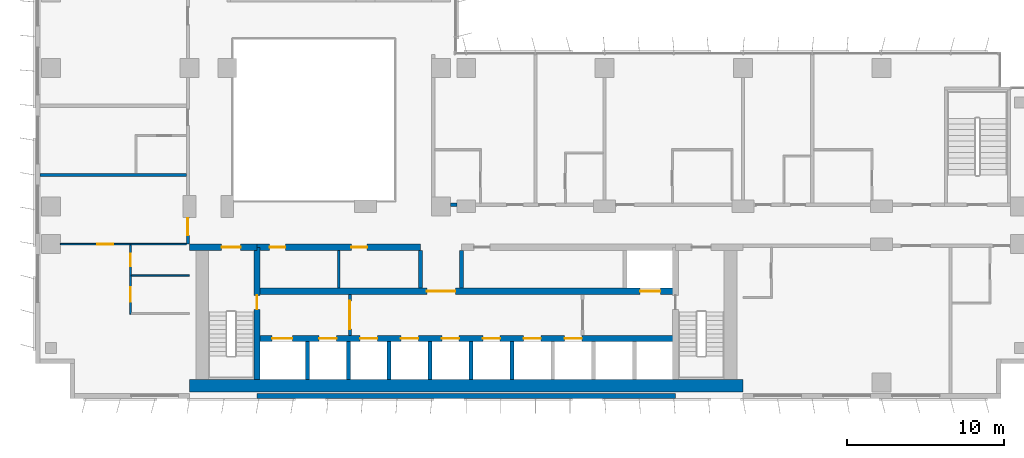
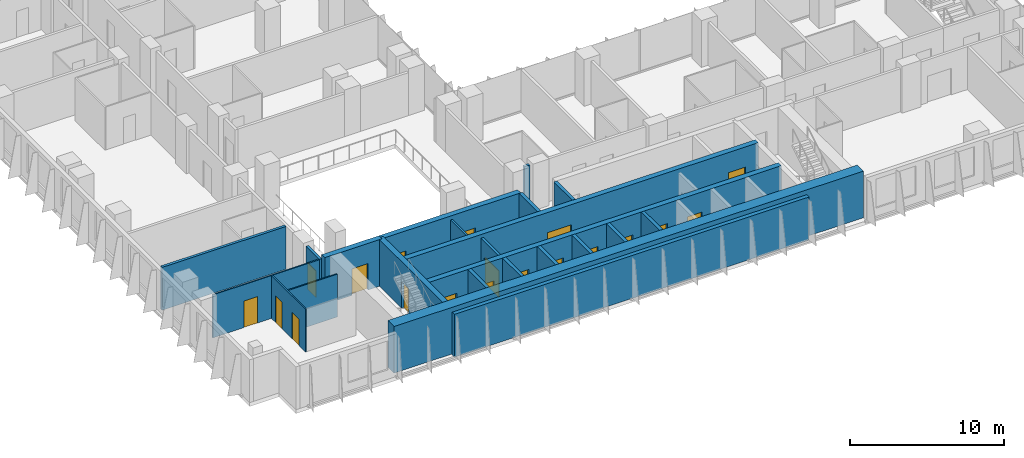
# One storey, part 12 of 22: 23 walls, 19 doors, 19 openings.
"""IFC4 building model written with IfcOpenShell, lengths in metres."""

from ifc_helpers import new_model, si_unit, direction, frame, frame_2d, origin, place, context, subcontext, project, spatial, rectangle, extrude, material, layer, layer_set, type_object, element, fill, save


model = new_model("IFC4")

# Units and contexts
model_context = context("Model", 3, precision=1e-05, world=origin(), true_north=direction((0.0, 1.0)))
body_context = subcontext(model_context, "Body", "Model", "MODEL_VIEW")
ifc_project = project(units=[si_unit("LENGTHUNIT", "METRE"), si_unit("AREAUNIT", "SQUARE_METRE"), si_unit("VOLUMEUNIT", "CUBIC_METRE"), si_unit("PLANEANGLEUNIT", "RADIAN"), si_unit("MASSUNIT", "GRAM", prefix="KILO")], contexts=[model_context])

# Site, building, storey
site_placement = place(None, origin())
site = spatial("IfcSite", under=ifc_project, at=site_placement, CompositionType="ELEMENT")
building_placement = place(site_placement, origin())
building = spatial("IfcBuilding", under=site, at=building_placement, Name="Kemantara Hotel Tower", CompositionType="ELEMENT")
storey_placement = place(building_placement, frame((0.0, 0.0, 90.800048828125)))
storey = spatial("IfcBuildingStorey", under=building, at=storey_placement, Name="L21", CompositionType="ELEMENT", Elevation=90.800048828125)

# Walls
ifc_material_1 = material(Name="Bronze anodised aluminium cladding on insulated steel stud wall", Category="steel")
ifc_layer_1 = layer(ifc_material_1, 0.300048828125)
ifc_layer_set_1 = layer_set([ifc_layer_1], Name="Bronze anodised aluminium cladding on insulated steel stud wall")
wall_type_1 = type_object("IfcWallType", Name="BRONZE METAL-CLAD EXTERNAL WALL 300", PredefinedType="STANDARD", material=ifc_layer_set_1)
wall_1_placement = place(storey_placement, frame((14.10009765625, 0.14990234375, 0.0), z_axis=(0.0, 0.0, 1.0), x_axis=(1.0, 0.0, 0.0)))
element("IfcWall", 1, at=wall_1_placement, inside=storey, type_object=wall_type_1, Name="EXTERNAL WALL L21 T2-R07-2", PredefinedType="STANDARD", context=body_context, shape_type="SweptSolid", body=[
    extrude(rectangle(XDim=26.599853515625, YDim=0.300048828125, at=frame_2d((13.2998046875, 0.0))), origin(), (0.0, 0.0, 1.0), 3.39990234375),
])
ifc_material_2 = material(Name="Concrete fc 70 MPa", Category="concrete")
ifc_layer_2 = layer(ifc_material_2, 0.25)
ifc_layer_set_2 = layer_set([ifc_layer_2], Name="Concrete fc 70 MPa")
wall_type_2 = type_object("IfcWallType", Name="CORE WALL 250 FC70", PredefinedType="SHEAR", material=ifc_layer_set_2)
for number, where, z_axis, x_axis, name in (
    (2, (17.300048828125, 1.199951171875, 0.0), (0.0, 0.0, 1.0), (0.0, 1.0, 0.0), "CORE WALL CW-DS17.3"),
    (3, (19.89990234375, 1.199951171875, 0.0), (0.0, 0.0, 1.0), (0.0, 1.0, 0.0), "CORE WALL CW-DS19.9"),
    (4, (22.5, 1.199951171875, 0.0), (0.0, 0.0, 1.0), (0.0, 1.0, 0.0), "CORE WALL CW-DS22.5"),
    (5, (25.10009765625, 1.199951171875, 0.0), (0.0, 0.0, 1.0), (0.0, 1.0, 0.0), "CORE WALL CW-DS25.1"),
    (6, (27.699951171875, 1.199951171875, 0.0), (0.0, 0.0, 1.0), (0.0, 1.0, 0.0), "CORE WALL CW-DS27.7"),
    (7, (30.300048828125, 1.199951171875, 0.0), (0.0, 0.0, 1.0), (0.0, 1.0, 0.0), "CORE WALL CW-DS30.3"),
):
    element("IfcWall", number, at=place(storey_placement, frame(where, z_axis=z_axis, x_axis=x_axis)), inside=storey, type_object=wall_type_2, Name=name, PredefinedType="SHEAR", context=body_context, shape_type="SweptSolid", body=[
        extrude(rectangle(XDim=2.400146484375, YDim=0.25, at=frame_2d((1.2001953125, 0.0))), origin(), (0.0, 0.0, 1.0), 3.699951171875),
    ])
for number, where, z_axis, x_axis, name in (
    (8, (24.5, 7.0, 0.0), (0.0, 0.0, 1.0), (0.0, 1.0, 0.0), "CORE WALL CW-DN24.5"),
    (9, (27.10009765625, 7.0, 0.0), (0.0, 0.0, 1.0), (0.0, 1.0, 0.0), "CORE WALL CW-DN27.1"),
):
    element("IfcWall", number, at=place(storey_placement, frame(where, z_axis=z_axis, x_axis=x_axis)), inside=storey, type_object=wall_type_2, Name=name, PredefinedType="SHEAR", context=body_context, shape_type="SweptSolid", body=[
        extrude(rectangle(XDim=2.39990234375, YDim=0.25, at=frame_2d((1.199951171875, 0.0))), origin(), (0.0, 0.0, 1.0), 3.699951171875),
    ])

# Wall, opening, door
ifc_layer_3 = layer(ifc_material_2, 0.39990234375)
ifc_layer_set_3 = layer_set([ifc_layer_3], Name="Concrete fc 70 MPa")
wall_type_3 = type_object("IfcWallType", Name="CORE WALL 400 FC70", PredefinedType="SHEAR", material=ifc_layer_set_3)
wall_2_placement = place(storey_placement, frame((9.800048828125, 9.60009765625, 0.0), z_axis=(0.0, 0.0, 1.0), x_axis=(1.0, 0.0, 0.0)))
wall_2 = element("IfcWall", 10, at=wall_2_placement, inside=storey, type_object=wall_type_3, Name="CORE WALL CW-N1", PredefinedType="SHEAR", context=body_context, shape_type="SweptSolid", body=[
    extrude(rectangle(XDim=4.300048828125, YDim=0.39990234375, at=frame_2d((2.14990234375, 0.0))), origin(), (0.0, 0.0, 1.0), 3.699951171875),
])
opening_1_placement = place(wall_2_placement, frame((2.050048828125, 0.0, 0.0)))
opening_1 = element("IfcOpeningElement", 11, at=opening_1_placement, cuts=wall_2, Name="Opening C15-ST1-C", PredefinedType="OPENING", context=body_context, shape_type="SweptSolid", body=[
    extrude(rectangle(XDim=1.199951171875, YDim=2.10009765625, at=frame_2d((0.60009765625, 1.050048828125))), frame((0.0, 0.2099609375, 0.0), z_axis=(0.0, -1.0, 0.0), x_axis=(1.0, 0.0, 0.0)), (0.0, 0.0, 1.0), 0.419921875),
])
ifc_material_3 = material(Name="Steel fire door", Category="steel")
door_type_1 = type_object("IfcDoorType", Name="Fire door FD90 1200 x 2100", OperationType="NOTDEFINED", PredefinedType="DOOR", material=ifc_material_3)
door_1_placement = place(opening_1_placement, frame((1.199951171875, 0.0, 0.0), z_axis=(0.0, 0.0, 1.0), x_axis=(-1.0, 0.0, 0.0)))
door_1 = element("IfcDoor", 12, at=door_1_placement, inside=storey, type_object=door_type_1, Name="Stair ST1 door to corridor", OperationType="SINGLE_SWING_LEFT", OverallHeight=2.10009765625, OverallWidth=1.199951171875, PredefinedType="DOOR", context=body_context, shape_type="SweptSolid", body=[
    extrude(rectangle(XDim=1.199951171875, YDim=2.10009765625, at=frame_2d((0.60009765625, 1.050048828125))), frame((0.0, 0.02490234375, 0.0), z_axis=(0.0, -1.0, 0.0), x_axis=(1.0, 0.0, 0.0)), (0.0, 0.0, 1.0), 0.050048828125),
])
fill(opening_1, door_1)

# Wall, openings, doors
wall_3_placement = place(storey_placement, frame((14.10009765625, 9.60009765625, 0.0), z_axis=(0.0, 0.0, 1.0), x_axis=(1.0, 0.0, 0.0)))
wall_3 = element("IfcWall", 13, at=wall_3_placement, inside=storey, type_object=wall_type_3, Name="CORE WALL CW-NN1", PredefinedType="SHEAR", context=body_context, shape_type="SweptSolid", body=[
    extrude(rectangle(XDim=10.39990234375, YDim=0.39990234375, at=frame_2d((5.199951171875, 0.0))), origin(), (0.0, 0.0, 1.0), 3.699951171875),
])
opening_2_placement = place(wall_3_placement, frame((0.800048828125, 0.0, 0.0)))
opening_2 = element("IfcOpeningElement", 14, at=opening_2_placement, cuts=wall_3, Name="Opening C15-R-NW1", PredefinedType="OPENING", context=body_context, shape_type="SweptSolid", body=[
    extrude(rectangle(XDim=1.0, YDim=2.10009765625, at=frame_2d((0.5, 1.050048828125))), frame((0.0, 0.2099609375, 0.0), z_axis=(0.0, -1.0, 0.0), x_axis=(1.0, 0.0, 0.0)), (0.0, 0.0, 1.0), 0.419921875),
])
opening_3_placement = place(wall_3_placement, frame((6.0, 0.0, 0.0)))
opening_3 = element("IfcOpeningElement", 15, at=opening_3_placement, cuts=wall_3, Name="Opening C15-R-NW2", PredefinedType="OPENING", context=body_context, shape_type="SweptSolid", body=[
    extrude(rectangle(XDim=1.0, YDim=2.10009765625, at=frame_2d((0.5, 1.050048828125))), frame((0.0, 0.2099609375, 0.0), z_axis=(0.0, -1.0, 0.0), x_axis=(1.0, 0.0, 0.0)), (0.0, 0.0, 1.0), 0.419921875),
])
door_type_2 = type_object("IfcDoorType", Name="Fire door FD30S 1000 x 2100", OperationType="NOTDEFINED", PredefinedType="DOOR", material=ifc_material_3)
door_2_placement = place(opening_2_placement, frame((1.0, 0.0, 0.0), z_axis=(0.0, 0.0, 1.0), x_axis=(-1.0, 0.0, 0.0)))
door_2 = element("IfcDoor", 16, at=door_2_placement, inside=storey, type_object=door_type_2, Name="Housekeeping Store door", OperationType="SINGLE_SWING_RIGHT", OverallHeight=2.10009765625, OverallWidth=1.0, PredefinedType="DOOR", context=body_context, shape_type="SweptSolid", body=[
    extrude(rectangle(XDim=1.0, YDim=2.10009765625, at=frame_2d((0.5, 1.050048828125))), frame((0.0, 0.02490234375, 0.0), z_axis=(0.0, -1.0, 0.0), x_axis=(1.0, 0.0, 0.0)), (0.0, 0.0, 1.0), 0.050048828125),
])
fill(opening_2, door_2)
door_3_placement = place(opening_3_placement, frame((1.0, 0.0, 0.0), z_axis=(0.0, 0.0, 1.0), x_axis=(-1.0, 0.0, 0.0)))
door_3 = element("IfcDoor", 17, at=door_3_placement, inside=storey, type_object=door_type_2, Name="Guest Pantry door", OperationType="SINGLE_SWING_LEFT", OverallHeight=2.10009765625, OverallWidth=1.0, PredefinedType="DOOR", context=body_context, shape_type="SweptSolid", body=[
    extrude(rectangle(XDim=1.0, YDim=2.10009765625, at=frame_2d((0.5, 1.050048828125))), frame((0.0, 0.02490234375, 0.0), z_axis=(0.0, -1.0, 0.0), x_axis=(1.0, 0.0, 0.0)), (0.0, 0.0, 1.0), 0.050048828125),
])
fill(opening_3, door_3)

wall_4_placement = place(storey_placement, frame((14.10009765625, 3.800048828125, 0.0), z_axis=(0.0, 0.0, 1.0), x_axis=(1.0, 0.0, 0.0)))
wall_4 = element("IfcWall", 18, at=wall_4_placement, inside=storey, type_object=wall_type_3, Name="CORE WALL CW-L1", PredefinedType="SHEAR", context=body_context, shape_type="SweptSolid", body=[
    extrude(rectangle(XDim=26.599853515625, YDim=0.39990234375, at=frame_2d((13.2998046875, 0.0))), origin(), (0.0, 0.0, 1.0), 3.699951171875),
])
opening_4_placement = place(wall_4_placement, frame((0.949951171875, 0.0, 0.0)))
opening_4 = element("IfcOpeningElement", 19, at=opening_4_placement, cuts=wall_4, Name="Opening C15-LD-FF1", PredefinedType="OPENING", context=body_context, shape_type="SweptSolid", body=[
    extrude(rectangle(XDim=1.300048828125, YDim=2.10009765625, at=frame_2d((0.64990234375, 1.050048828125))), frame((0.0, 0.2099609375, 0.0), z_axis=(0.0, -1.0, 0.0), x_axis=(1.0, 0.0, 0.0)), (0.0, 0.0, 1.0), 0.419921875),
])
opening_5_placement = place(wall_4_placement, frame((3.949951171875, 0.0, 0.0)))
opening_5 = element("IfcOpeningElement", 20, at=opening_5_placement, cuts=wall_4, Name="Opening C15-LD-SV1", PredefinedType="OPENING", context=body_context, shape_type="SweptSolid", body=[
    extrude(rectangle(XDim=1.10009765625, YDim=2.10009765625, at=frame_2d((0.550048828125, 1.050048828125))), frame((0.0, 0.2099609375, 0.0), z_axis=(0.0, -1.0, 0.0), x_axis=(1.0, 0.0, 0.0)), (0.0, 0.0, 1.0), 0.419921875),
])
opening_6_placement = place(wall_4_placement, frame((6.550048828125, 0.0, 0.0)))
opening_6 = element("IfcOpeningElement", 21, at=opening_6_placement, cuts=wall_4, Name="Opening C15-LD-SV2", PredefinedType="OPENING", context=body_context, shape_type="SweptSolid", body=[
    extrude(rectangle(XDim=1.10009765625, YDim=2.10009765625, at=frame_2d((0.550048828125, 1.050048828125))), frame((0.0, 0.2099609375, 0.0), z_axis=(0.0, -1.0, 0.0), x_axis=(1.0, 0.0, 0.0)), (0.0, 0.0, 1.0), 0.419921875),
])
opening_7_placement = place(wall_4_placement, frame((9.14990234375, 0.0, 0.0)))
opening_7 = element("IfcOpeningElement", 22, at=opening_7_placement, cuts=wall_4, Name="Opening C15-LD-SV3", PredefinedType="OPENING", context=body_context, shape_type="SweptSolid", body=[
    extrude(rectangle(XDim=1.10009765625, YDim=2.10009765625, at=frame_2d((0.550048828125, 1.050048828125))), frame((0.0, 0.2099609375, 0.0), z_axis=(0.0, -1.0, 0.0), x_axis=(1.0, 0.0, 0.0)), (0.0, 0.0, 1.0), 0.419921875),
])
opening_8_placement = place(wall_4_placement, frame((11.75, 0.0, 0.0)))
opening_8 = element("IfcOpeningElement", 23, at=opening_8_placement, cuts=wall_4, Name="Opening C15-LD-LR1", PredefinedType="OPENING", context=body_context, shape_type="SweptSolid", body=[
    extrude(rectangle(XDim=1.10009765625, YDim=2.10009765625, at=frame_2d((0.550048828125, 1.050048828125))), frame((0.0, 0.2099609375, 0.0), z_axis=(0.0, -1.0, 0.0), x_axis=(1.0, 0.0, 0.0)), (0.0, 0.0, 1.0), 0.419921875),
])
opening_9_placement = place(wall_4_placement, frame((14.35009765625, 0.0, 0.0)))
opening_9 = element("IfcOpeningElement", 24, at=opening_9_placement, cuts=wall_4, Name="Opening C15-LD-LR2", PredefinedType="OPENING", context=body_context, shape_type="SweptSolid", body=[
    extrude(rectangle(XDim=1.10009765625, YDim=2.10009765625, at=frame_2d((0.550048828125, 1.050048828125))), frame((0.0, 0.2099609375, 0.0), z_axis=(0.0, -1.0, 0.0), x_axis=(1.0, 0.0, 0.0)), (0.0, 0.0, 1.0), 0.419921875),
])
opening_10_placement = place(wall_4_placement, frame((16.949951171875, 0.0, 0.0)))
opening_10 = element("IfcOpeningElement", 25, at=opening_10_placement, cuts=wall_4, Name="Opening C15-LD-LR3", PredefinedType="OPENING", context=body_context, shape_type="SweptSolid", body=[
    extrude(rectangle(XDim=1.10009765625, YDim=2.10009765625, at=frame_2d((0.550048828125, 1.050048828125))), frame((0.0, 0.2099609375, 0.0), z_axis=(0.0, -1.0, 0.0), x_axis=(1.0, 0.0, 0.0)), (0.0, 0.0, 1.0), 0.419921875),
])
opening_11_placement = place(wall_4_placement, frame((19.550048828125, 0.0, 0.0)))
opening_11 = element("IfcOpeningElement", 26, at=opening_11_placement, cuts=wall_4, Name="Opening C15-LD-LR4", PredefinedType="OPENING", context=body_context, shape_type="SweptSolid", body=[
    extrude(rectangle(XDim=1.10009765625, YDim=2.10009765625, at=frame_2d((0.550048828125, 1.050048828125))), frame((0.0, 0.2099609375, 0.0), z_axis=(0.0, -1.0, 0.0), x_axis=(1.0, 0.0, 0.0)), (0.0, 0.0, 1.0), 0.419921875),
])
ifc_material_4 = material(Name="Stainless steel lift door", Category="steel")
door_type_3 = type_object("IfcDoorType", Name="Lift landing door 1100 x 2100 FD60", OperationType="DOUBLE_DOOR_SLIDING", PredefinedType="DOOR", material=ifc_material_4)
door_4_placement = place(opening_5_placement, origin())
door_4 = element("IfcDoor", 27, at=door_4_placement, inside=storey, type_object=door_type_3, Name="Lift SV1 landing door", OperationType="DOUBLE_DOOR_SLIDING", OverallHeight=2.10009765625, OverallWidth=1.10009765625, PredefinedType="DOOR", context=body_context, shape_type="SweptSolid", body=[
    extrude(rectangle(XDim=1.10009765625, YDim=2.10009765625, at=frame_2d((0.550048828125, 1.050048828125))), frame((0.0, 0.02490234375, 0.0), z_axis=(0.0, -1.0, 0.0), x_axis=(1.0, 0.0, 0.0)), (0.0, 0.0, 1.0), 0.050048828125),
])
fill(opening_5, door_4)
door_5_placement = place(opening_6_placement, origin())
door_5 = element("IfcDoor", 28, at=door_5_placement, inside=storey, type_object=door_type_3, Name="Lift SV2 landing door", OperationType="DOUBLE_DOOR_SLIDING", OverallHeight=2.10009765625, OverallWidth=1.10009765625, PredefinedType="DOOR", context=body_context, shape_type="SweptSolid", body=[
    extrude(rectangle(XDim=1.10009765625, YDim=2.10009765625, at=frame_2d((0.550048828125, 1.050048828125))), frame((0.0, 0.02490234375, 0.0), z_axis=(0.0, -1.0, 0.0), x_axis=(1.0, 0.0, 0.0)), (0.0, 0.0, 1.0), 0.050048828125),
])
fill(opening_6, door_5)
door_6_placement = place(opening_7_placement, origin())
door_6 = element("IfcDoor", 29, at=door_6_placement, inside=storey, type_object=door_type_3, Name="Lift SV3 landing door", OperationType="DOUBLE_DOOR_SLIDING", OverallHeight=2.10009765625, OverallWidth=1.10009765625, PredefinedType="DOOR", context=body_context, shape_type="SweptSolid", body=[
    extrude(rectangle(XDim=1.10009765625, YDim=2.10009765625, at=frame_2d((0.550048828125, 1.050048828125))), frame((0.0, 0.02490234375, 0.0), z_axis=(0.0, -1.0, 0.0), x_axis=(1.0, 0.0, 0.0)), (0.0, 0.0, 1.0), 0.050048828125),
])
fill(opening_7, door_6)
door_7_placement = place(opening_8_placement, origin())
door_7 = element("IfcDoor", 30, at=door_7_placement, inside=storey, type_object=door_type_3, Name="Lift LR1 landing door", OperationType="DOUBLE_DOOR_SLIDING", OverallHeight=2.10009765625, OverallWidth=1.10009765625, PredefinedType="DOOR", context=body_context, shape_type="SweptSolid", body=[
    extrude(rectangle(XDim=1.10009765625, YDim=2.10009765625, at=frame_2d((0.550048828125, 1.050048828125))), frame((0.0, 0.02490234375, 0.0), z_axis=(0.0, -1.0, 0.0), x_axis=(1.0, 0.0, 0.0)), (0.0, 0.0, 1.0), 0.050048828125),
])
fill(opening_8, door_7)
door_8_placement = place(opening_9_placement, origin())
door_8 = element("IfcDoor", 31, at=door_8_placement, inside=storey, type_object=door_type_3, Name="Lift LR2 landing door", OperationType="DOUBLE_DOOR_SLIDING", OverallHeight=2.10009765625, OverallWidth=1.10009765625, PredefinedType="DOOR", context=body_context, shape_type="SweptSolid", body=[
    extrude(rectangle(XDim=1.10009765625, YDim=2.10009765625, at=frame_2d((0.550048828125, 1.050048828125))), frame((0.0, 0.02490234375, 0.0), z_axis=(0.0, -1.0, 0.0), x_axis=(1.0, 0.0, 0.0)), (0.0, 0.0, 1.0), 0.050048828125),
])
fill(opening_9, door_8)
door_9_placement = place(opening_10_placement, origin())
door_9 = element("IfcDoor", 32, at=door_9_placement, inside=storey, type_object=door_type_3, Name="Lift LR3 landing door", OperationType="DOUBLE_DOOR_SLIDING", OverallHeight=2.10009765625, OverallWidth=1.10009765625, PredefinedType="DOOR", context=body_context, shape_type="SweptSolid", body=[
    extrude(rectangle(XDim=1.10009765625, YDim=2.10009765625, at=frame_2d((0.550048828125, 1.050048828125))), frame((0.0, 0.02490234375, 0.0), z_axis=(0.0, -1.0, 0.0), x_axis=(1.0, 0.0, 0.0)), (0.0, 0.0, 1.0), 0.050048828125),
])
fill(opening_10, door_9)
door_10_placement = place(opening_11_placement, origin())
door_10 = element("IfcDoor", 33, at=door_10_placement, inside=storey, type_object=door_type_3, Name="Lift LR4 landing door", OperationType="DOUBLE_DOOR_SLIDING", OverallHeight=2.10009765625, OverallWidth=1.10009765625, PredefinedType="DOOR", context=body_context, shape_type="SweptSolid", body=[
    extrude(rectangle(XDim=1.10009765625, YDim=2.10009765625, at=frame_2d((0.550048828125, 1.050048828125))), frame((0.0, 0.02490234375, 0.0), z_axis=(0.0, -1.0, 0.0), x_axis=(1.0, 0.0, 0.0)), (0.0, 0.0, 1.0), 0.050048828125),
])
fill(opening_11, door_10)
door_type_4 = type_object("IfcDoorType", Name="Lift landing door 1300 x 2100 FD90", OperationType="DOUBLE_DOOR_SLIDING", PredefinedType="DOOR", material=ifc_material_4)
door_11_placement = place(opening_4_placement, origin())
door_11 = element("IfcDoor", 34, at=door_11_placement, inside=storey, type_object=door_type_4, Name="Lift FF1 landing door", OperationType="DOUBLE_DOOR_SLIDING", OverallHeight=2.10009765625, OverallWidth=1.300048828125, PredefinedType="DOOR", context=body_context, shape_type="SweptSolid", body=[
    extrude(rectangle(XDim=1.300048828125, YDim=2.10009765625, at=frame_2d((0.64990234375, 1.050048828125))), frame((0.0, 0.02490234375, 0.0), z_axis=(0.0, -1.0, 0.0), x_axis=(1.0, 0.0, 0.0)), (0.0, 0.0, 1.0), 0.050048828125),
])
fill(opening_4, door_11)

wall_5_placement = place(storey_placement, frame((14.10009765625, 6.800048828125, 0.0), z_axis=(0.0, 0.0, 1.0), x_axis=(1.0, 0.0, 0.0)))
wall_5 = element("IfcWall", 35, at=wall_5_placement, inside=storey, type_object=wall_type_3, Name="CORE WALL CW-L2", PredefinedType="SHEAR", context=body_context, shape_type="SweptSolid", body=[
    extrude(rectangle(XDim=26.599853515625, YDim=0.39990234375, at=frame_2d((13.2998046875, 0.0))), origin(), (0.0, 0.0, 1.0), 3.699951171875),
])
opening_12_placement = place(wall_5_placement, frame((10.800048828125, 0.0, 0.0)))
opening_12 = element("IfcOpeningElement", 36, at=opening_12_placement, cuts=wall_5, Name="Opening C15-VL", PredefinedType="OPENING", context=body_context, shape_type="SweptSolid", body=[
    extrude(rectangle(XDim=1.800048828125, YDim=2.10009765625, at=frame_2d((0.89990234375, 1.050048828125))), frame((0.0, 0.2099609375, 0.0), z_axis=(0.0, -1.0, 0.0), x_axis=(1.0, 0.0, 0.0)), (0.0, 0.0, 1.0), 0.419921875),
])
opening_13_placement = place(wall_5_placement, frame((24.35009765625, 0.0, 0.0)))
opening_13 = element("IfcOpeningElement", 37, at=opening_13_placement, cuts=wall_5, Name="Opening C15-LD-FF2", PredefinedType="OPENING", context=body_context, shape_type="SweptSolid", body=[
    extrude(rectangle(XDim=1.300048828125, YDim=2.10009765625, at=frame_2d((0.64990234375, 1.050048828125))), frame((0.0, 0.2099609375, 0.0), z_axis=(0.0, -1.0, 0.0), x_axis=(1.0, 0.0, 0.0)), (0.0, 0.0, 1.0), 0.419921875),
])
door_type_5 = type_object("IfcDoorType", Name="Fire door pair FD60 1800 x 2100", OperationType="DOUBLE_DOOR_SINGLE_SWING", PredefinedType="DOOR", material=ifc_material_3)
door_12_placement = place(opening_12_placement, frame((1.800048828125, 0.0, 0.0), z_axis=(0.0, 0.0, 1.0), x_axis=(-1.0, 0.0, 0.0)))
door_12 = element("IfcDoor", 38, at=door_12_placement, inside=storey, type_object=door_type_5, Name="Lift lobby entry door", OperationType="DOUBLE_DOOR_SINGLE_SWING", OverallHeight=2.10009765625, OverallWidth=1.800048828125, PredefinedType="DOOR", context=body_context, shape_type="SweptSolid", body=[
    extrude(rectangle(XDim=1.800048828125, YDim=2.10009765625, at=frame_2d((0.89990234375, 1.050048828125))), frame((0.0, 0.02490234375, 0.0), z_axis=(0.0, -1.0, 0.0), x_axis=(1.0, 0.0, 0.0)), (0.0, 0.0, 1.0), 0.050048828125),
])
fill(opening_12, door_12)
door_13_placement = place(opening_13_placement, origin())
door_13 = element("IfcDoor", 39, at=door_13_placement, inside=storey, type_object=door_type_4, Name="Lift FF2 landing door", OperationType="DOUBLE_DOOR_SLIDING", OverallHeight=2.10009765625, OverallWidth=1.300048828125, PredefinedType="DOOR", context=body_context, shape_type="SweptSolid", body=[
    extrude(rectangle(XDim=1.300048828125, YDim=2.10009765625, at=frame_2d((0.64990234375, 1.050048828125))), frame((0.0, 0.02490234375, 0.0), z_axis=(0.0, -1.0, 0.0), x_axis=(1.0, 0.0, 0.0)), (0.0, 0.0, 1.0), 0.050048828125),
])
fill(opening_13, door_13)

# Wall, opening, door
wall_6_placement = place(storey_placement, frame((14.10009765625, 1.199951171875, 0.0), z_axis=(0.0, 0.0, 1.0), x_axis=(0.0, 1.0, 0.0)))
wall_6 = element("IfcWall", 40, at=wall_6_placement, inside=storey, type_object=wall_type_3, Name="CORE WALL CW-ST1E", PredefinedType="SHEAR", context=body_context, shape_type="SweptSolid", body=[
    extrude(rectangle(XDim=8.400146484375, YDim=0.39990234375, at=frame_2d((4.2001953125, 0.0))), origin(), (0.0, 0.0, 1.0), 3.699951171875),
])
opening_14_placement = place(wall_6_placement, frame((4.449951171875, 0.0, 0.0)))
opening_14 = element("IfcOpeningElement", 41, at=opening_14_placement, cuts=wall_6, Name="Opening C15-ST1-F", PredefinedType="OPENING", context=body_context, shape_type="SweptSolid", body=[
    extrude(rectangle(XDim=0.89990234375, YDim=2.10009765625, at=frame_2d((0.449951171875, 1.050048828125))), frame((0.0, 0.2099609375, 0.0), z_axis=(0.0, -1.0, 0.0), x_axis=(1.0, 0.0, 0.0)), (0.0, 0.0, 1.0), 0.419921875),
])
door_type_6 = type_object("IfcDoorType", Name="Fire door FD90 900 x 2100", OperationType="NOTDEFINED", PredefinedType="DOOR", material=ifc_material_3)
door_14_placement = place(opening_14_placement, origin())
door_14 = element("IfcDoor", 42, at=door_14_placement, inside=storey, type_object=door_type_6, Name="Stair ST1 door to firefighting lobby", OperationType="SINGLE_SWING_RIGHT", OverallHeight=2.10009765625, OverallWidth=0.89990234375, PredefinedType="DOOR", context=body_context, shape_type="SweptSolid", body=[
    extrude(rectangle(XDim=0.89990234375, YDim=2.10009765625, at=frame_2d((0.449951171875, 1.050048828125))), frame((0.0, 0.02490234375, 0.0), z_axis=(0.0, -1.0, 0.0), x_axis=(1.0, 0.0, 0.0)), (0.0, 0.0, 1.0), 0.050048828125),
])
fill(opening_14, door_14)

# Walls
ifc_layer_4 = layer(ifc_material_2, 0.800048828125)
ifc_layer_set_4 = layer_set([ifc_layer_4], Name="Concrete fc 70 MPa")
wall_type_4 = type_object("IfcWallType", Name="CORE WALL 800 FC70", PredefinedType="SHEAR", material=ifc_layer_set_4)
wall_7_placement = place(storey_placement, frame((9.800048828125, 0.800048828125, 0.0), z_axis=(0.0, 0.0, 1.0), x_axis=(1.0, 0.0, 0.0)))
element("IfcWall", 43, at=wall_7_placement, inside=storey, type_object=wall_type_4, Name="CORE WALL CW-S", PredefinedType="SHEAR", context=body_context, shape_type="SweptSolid", body=[
    extrude(rectangle(XDim=35.199951171875, YDim=0.800048828125, at=frame_2d((17.60009765625, 0.0))), origin(), (0.0, 0.0, 1.0), 3.699951171875),
])
ifc_material_5 = material(Name="Gypsum board partition, steel studs and mineral wool, 200 mm", Category="steel")
ifc_layer_5 = layer(ifc_material_5, 0.199951171875)
ifc_layer_set_5 = layer_set([ifc_layer_5], Name="Gypsum board partition, steel studs and mineral wool, 200 mm")
wall_type_5 = type_object("IfcWallType", Name="CORRIDOR WALL 200", PredefinedType="PARTITIONING", material=ifc_layer_set_5)
wall_8_placement = place(storey_placement, frame((26.400146484375, 12.300048828125, 0.0), z_axis=(0.0, 0.0, 1.0), x_axis=(1.0, 0.0, 0.0)))
element("IfcWall", 44, at=wall_8_placement, inside=storey, type_object=wall_type_5, Name="CORRIDOR WALL 200 004", PredefinedType="PARTITIONING", context=body_context, shape_type="SweptSolid", body=[
    extrude(rectangle(XDim=0.399658203125, YDim=0.199951171875, at=frame_2d((0.19970703125, 0.0))), origin(), (0.0, 0.0, 1.0), 3.39990234375),
])

# Wall, opening, door
wall_9_placement = place(storey_placement, frame((9.699951171875, 9.800048828125, 0.0), z_axis=(0.0, 0.0, 1.0), x_axis=(0.0, 1.0, 0.0)))
wall_9 = element("IfcWall", 45, at=wall_9_placement, inside=storey, type_object=wall_type_5, Name="CORRIDOR WALL 200 015", PredefinedType="PARTITIONING", context=body_context, shape_type="SweptSolid", body=[
    extrude(rectangle(XDim=1.699951171875, YDim=0.199951171875, at=frame_2d((0.85009765625, 0.0))), origin(), (0.0, 0.0, 1.0), 3.39990234375),
])
opening_15_placement = place(wall_9_placement, frame((0.550048828125, 0.0, 0.0)))
opening_15 = element("IfcOpeningElement", 46, at=opening_15_placement, cuts=wall_9, Name="Opening F08-015", PredefinedType="OPENING", context=body_context, shape_type="SweptSolid", body=[
    extrude(rectangle(XDim=1.10009765625, YDim=2.10009765625, at=frame_2d((0.550048828125, 1.050048828125))), frame((0.0, 0.10986328125, 0.0), z_axis=(0.0, -1.0, 0.0), x_axis=(1.0, 0.0, 0.0)), (0.0, 0.0, 1.0), 0.219970703125),
])
ifc_material_6 = material(Name="Hardwood veneer door leaf with steel frame", Category="steel")
door_type_7 = type_object("IfcDoorType", Name="SUITE ENTRANCE DOOR 1100 X 2100 FD30S", OperationType="NOTDEFINED", PredefinedType="DOOR", material=ifc_material_6)
door_15_placement = place(opening_15_placement, origin())
door_15 = element("IfcDoor", 47, at=door_15_placement, inside=storey, type_object=door_type_7, Name="SUITE ENTRANCE DOOR F08-015", OperationType="SINGLE_SWING_RIGHT", OverallHeight=2.10009765625, OverallWidth=1.10009765625, PredefinedType="DOOR", context=body_context, shape_type="SweptSolid", body=[
    extrude(rectangle(XDim=1.10009765625, YDim=2.10009765625, at=frame_2d((0.550048828125, 1.050048828125))), frame((0.0, 0.02490234375, 0.0), z_axis=(0.0, -1.0, 0.0), x_axis=(1.0, 0.0, 0.0)), (0.0, 0.0, 1.0), 0.050048828125),
])
fill(opening_15, door_15)

# Walls
ifc_layer_6 = layer(ifc_material_5, 0.199951171875)
ifc_layer_set_6 = layer_set([ifc_layer_6], Name="Gypsum board partition, steel studs and mineral wool, 200 mm")
wall_type_6 = type_object("IfcWallType", Name="GUEST ROOM PARTY WALL 200", PredefinedType="PARTITIONING", material=ifc_layer_set_6)
wall_10_placement = place(storey_placement, frame((0.31005859375, 14.199951171875, 0.0), z_axis=(0.0, 0.0, 1.0), x_axis=(1.0, 0.0, 0.0)))
element("IfcWall", 48, at=wall_10_placement, inside=storey, type_object=wall_type_6, Name="GUEST ROOM PARTY WALL 200 024", PredefinedType="PARTITIONING", context=body_context, shape_type="SweptSolid", body=[
    extrude(rectangle(XDim=9.2900390625, YDim=0.199951171875, at=frame_2d((4.64501953125, 0.0))), origin(), (0.0, 0.0, 1.0), 3.39990234375),
])
ifc_material_7 = material(Name="Gypsum board partition")
ifc_layer_7 = layer(ifc_material_7, 0.14990234375)
ifc_layer_set_7 = layer_set([ifc_layer_7], Name="Gypsum board partition")
wall_type_7 = type_object("IfcWallType", Name="Gypsum board partition 150 mm", PredefinedType="PARTITIONING", material=ifc_layer_set_7)
wall_11_placement = place(storey_placement, frame((19.300048828125, 7.0, 0.0), z_axis=(0.0, 0.0, 1.0), x_axis=(0.0, 1.0, 0.0)))
element("IfcWall", 49, at=wall_11_placement, inside=storey, type_object=wall_type_7, Name="Core room partition", PredefinedType="PARTITIONING", context=body_context, shape_type="SweptSolid", body=[
    extrude(rectangle(XDim=2.39990234375, YDim=0.14990234375, at=frame_2d((1.199951171875, 0.0))), origin(), (0.0, 0.0, 1.0), 3.39990234375),
])

# Wall, opening, door
ifc_material_8 = material(Name="Gypsum board shaft wall")
ifc_layer_8 = layer(ifc_material_8, 0.199951171875)
ifc_layer_set_8 = layer_set([ifc_layer_8], Name="Gypsum board shaft wall")
wall_type_8 = type_object("IfcWallType", Name="Gypsum board shaft wall 200 mm", PredefinedType="PARTITIONING", material=ifc_layer_set_8)
wall_12_placement = place(storey_placement, frame((20.0, 4.0, 0.0), z_axis=(0.0, 0.0, 1.0), x_axis=(0.0, 1.0, 0.0)))
wall_12 = element("IfcWall", 50, at=wall_12_placement, inside=storey, type_object=wall_type_8, Name="Firefighting lobby partition west", PredefinedType="PARTITIONING", context=body_context, shape_type="SweptSolid", body=[
    extrude(rectangle(XDim=2.60009765625, YDim=0.199951171875, at=frame_2d((1.300048828125, 0.0))), origin(), (0.0, 0.0, 1.0), 3.39990234375),
])
opening_16_placement = place(wall_12_placement, frame((0.39990234375, 0.0, 0.0)))
opening_16 = element("IfcOpeningElement", 51, at=opening_16_placement, cuts=wall_12, Name="Opening C15-FFW", PredefinedType="OPENING", context=body_context, shape_type="SweptSolid", body=[
    extrude(rectangle(XDim=1.800048828125, YDim=2.10009765625, at=frame_2d((0.89990234375, 1.050048828125))), frame((0.0, 0.10986328125, 0.0), z_axis=(0.0, -1.0, 0.0), x_axis=(1.0, 0.0, 0.0)), (0.0, 0.0, 1.0), 0.219970703125),
])
door_16_placement = place(opening_16_placement, origin())
door_16 = element("IfcDoor", 52, at=door_16_placement, inside=storey, type_object=door_type_5, Name="Firefighting lobby door west", OperationType="DOUBLE_DOOR_SINGLE_SWING", OverallHeight=2.10009765625, OverallWidth=1.800048828125, PredefinedType="DOOR", context=body_context, shape_type="SweptSolid", body=[
    extrude(rectangle(XDim=1.800048828125, YDim=2.10009765625, at=frame_2d((0.89990234375, 1.050048828125))), frame((0.0, 0.02490234375, 0.0), z_axis=(0.0, -1.0, 0.0), x_axis=(1.0, 0.0, 0.0)), (0.0, 0.0, 1.0), 0.050048828125),
])
fill(opening_16, door_16)

# Wall, openings, doors
ifc_material_9 = material(Name="Gypsum board partition on steel studs, 100 mm", Category="steel")
ifc_layer_9 = layer(ifc_material_9, 0.10009765625)
ifc_layer_set_9 = layer_set([ifc_layer_9], Name="Gypsum board partition on steel studs, 100 mm")
wall_type_9 = type_object("IfcWallType", Name="ROOM PARTITION 100", PredefinedType="PARTITIONING", material=ifc_layer_set_9)
wall_13_placement = place(storey_placement, frame((6.050048828125, 9.75, 0.0), z_axis=(0.0, 0.0, 1.0), x_axis=(0.0, -1.0, 0.0)))
wall_13 = element("IfcWall", 53, at=wall_13_placement, inside=storey, type_object=wall_type_9, Name="ROOM PARTITION 100 065", PredefinedType="PARTITIONING", context=body_context, shape_type="SweptSolid", body=[
    extrude(rectangle(XDim=4.39990234375, YDim=0.10009765625, at=frame_2d((2.199951171875, 0.0))), origin(), (0.0, 0.0, 1.0), 3.39990234375),
])
opening_17_placement = place(wall_13_placement, frame((2.699951171875, 0.0, 0.0)))
opening_17 = element("IfcOpeningElement", 54, at=opening_17_placement, cuts=wall_13, Name="Opening F08-017", PredefinedType="OPENING", context=body_context, shape_type="SweptSolid", body=[
    extrude(rectangle(XDim=0.89990234375, YDim=2.10009765625, at=frame_2d((0.449951171875, 1.050048828125))), frame((0.0, 0.06005859375, 0.0), z_axis=(0.0, -1.0, 0.0), x_axis=(1.0, 0.0, 0.0)), (0.0, 0.0, 1.0), 0.1201171875),
])
opening_18_placement = place(wall_13_placement, frame((0.550048828125, 0.0, 0.0)))
opening_18 = element("IfcOpeningElement", 55, at=opening_18_placement, cuts=wall_13, Name="Opening F08-018", PredefinedType="OPENING", context=body_context, shape_type="SweptSolid", body=[
    extrude(rectangle(XDim=0.800048828125, YDim=2.10009765625, at=frame_2d((0.39990234375, 1.050048828125))), frame((0.0, 0.06005859375, 0.0), z_axis=(0.0, -1.0, 0.0), x_axis=(1.0, 0.0, 0.0)), (0.0, 0.0, 1.0), 0.1201171875),
])
door_type_8 = type_object("IfcDoorType", Name="BATHROOM DOOR 900 X 2100", OperationType="NOTDEFINED", PredefinedType="DOOR", material=ifc_material_6)
door_17_placement = place(opening_17_placement, origin())
door_17 = element("IfcDoor", 56, at=door_17_placement, inside=storey, type_object=door_type_8, Name="BATHROOM DOOR F08-017", OperationType="SINGLE_SWING_LEFT", OverallHeight=2.10009765625, OverallWidth=0.89990234375, PredefinedType="DOOR", context=body_context, shape_type="SweptSolid", body=[
    extrude(rectangle(XDim=0.89990234375, YDim=2.10009765625, at=frame_2d((0.449951171875, 1.050048828125))), frame((0.0, 0.02490234375, 0.0), z_axis=(0.0, -1.0, 0.0), x_axis=(1.0, 0.0, 0.0)), (0.0, 0.0, 1.0), 0.050048828125),
])
fill(opening_17, door_17)
door_type_9 = type_object("IfcDoorType", Name="WARDROBE DOOR 800 X 2100", OperationType="NOTDEFINED", PredefinedType="DOOR", material=ifc_material_6)
door_18_placement = place(opening_18_placement, origin())
door_18 = element("IfcDoor", 57, at=door_18_placement, inside=storey, type_object=door_type_9, Name="WARDROBE DOOR F08-018", OperationType="SINGLE_SWING_LEFT", OverallHeight=2.10009765625, OverallWidth=0.800048828125, PredefinedType="DOOR", context=body_context, shape_type="SweptSolid", body=[
    extrude(rectangle(XDim=0.800048828125, YDim=2.10009765625, at=frame_2d((0.39990234375, 1.050048828125))), frame((0.0, 0.02490234375, 0.0), z_axis=(0.0, -1.0, 0.0), x_axis=(1.0, 0.0, 0.0)), (0.0, 0.0, 1.0), 0.050048828125),
])
fill(opening_18, door_18)

# Wall, opening, door
wall_14_placement = place(storey_placement, frame((9.60009765625, 9.800048828125, 0.0), z_axis=(0.0, 0.0, 1.0), x_axis=(-1.0, 0.0, 0.0)))
wall_14 = element("IfcWall", 58, at=wall_14_placement, inside=storey, type_object=wall_type_9, Name="ROOM PARTITION 100 067", PredefinedType="PARTITIONING", context=body_context, shape_type="SweptSolid", body=[
    extrude(rectangle(XDim=8.0, YDim=0.10009765625, at=frame_2d((4.0, 0.0))), origin(), (0.0, 0.0, 1.0), 3.39990234375),
])
opening_19_placement = place(wall_14_placement, frame((4.64990234375, 0.0, 0.0)))
opening_19 = element("IfcOpeningElement", 59, at=opening_19_placement, cuts=wall_14, Name="Opening F08-016", PredefinedType="OPENING", context=body_context, shape_type="SweptSolid", body=[
    extrude(rectangle(XDim=1.0, YDim=2.10009765625, at=frame_2d((0.5, 1.050048828125))), frame((0.0, 0.06005859375, 0.0), z_axis=(0.0, -1.0, 0.0), x_axis=(1.0, 0.0, 0.0)), (0.0, 0.0, 1.0), 0.1201171875),
])
door_type_10 = type_object("IfcDoorType", Name="INTERNAL DOOR 1000 X 2100", OperationType="NOTDEFINED", PredefinedType="DOOR", material=ifc_material_6)
door_19_placement = place(opening_19_placement, origin())
door_19 = element("IfcDoor", 60, at=door_19_placement, inside=storey, type_object=door_type_10, Name="INTERNAL DOOR F08-016", OperationType="SINGLE_SWING_LEFT", OverallHeight=2.10009765625, OverallWidth=1.0, PredefinedType="DOOR", context=body_context, shape_type="SweptSolid", body=[
    extrude(rectangle(XDim=1.0, YDim=2.10009765625, at=frame_2d((0.5, 1.050048828125))), frame((0.0, 0.02490234375, 0.0), z_axis=(0.0, -1.0, 0.0), x_axis=(1.0, 0.0, 0.0)), (0.0, 0.0, 1.0), 0.050048828125),
])
fill(opening_19, door_19)

# Wall
wall_15_placement = place(storey_placement, frame((6.10009765625, 7.800048828125, 0.0), z_axis=(0.0, 0.0, 1.0), x_axis=(1.0, 0.0, 0.0)))
element("IfcWall", 61, at=wall_15_placement, inside=storey, type_object=wall_type_9, Name="ROOM PARTITION 100 069", PredefinedType="PARTITIONING", context=body_context, shape_type="SweptSolid", body=[
    extrude(rectangle(XDim=3.69970703125, YDim=0.10009765625, at=frame_2d((1.849853515625, 0.0))), origin(), (0.0, 0.0, 1.0), 3.39990234375),
])

save(model, "model.ifc")
